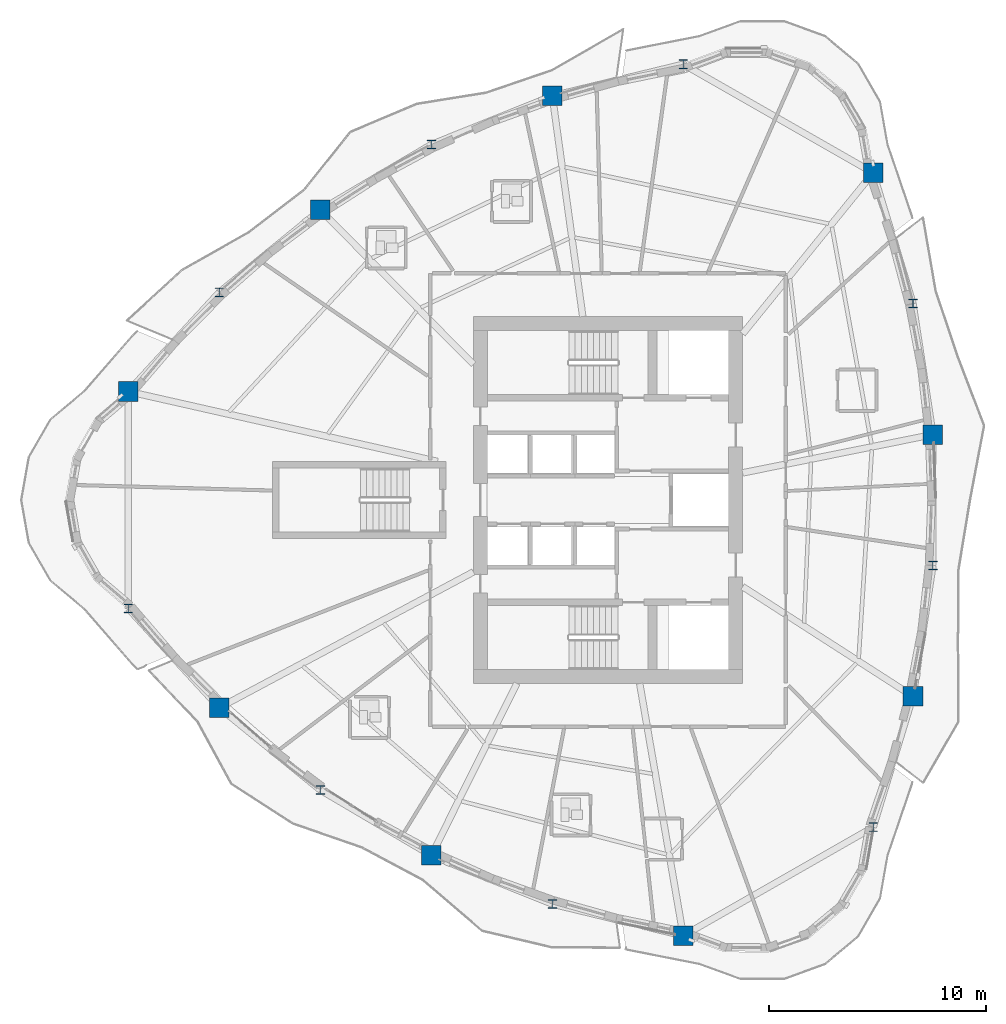
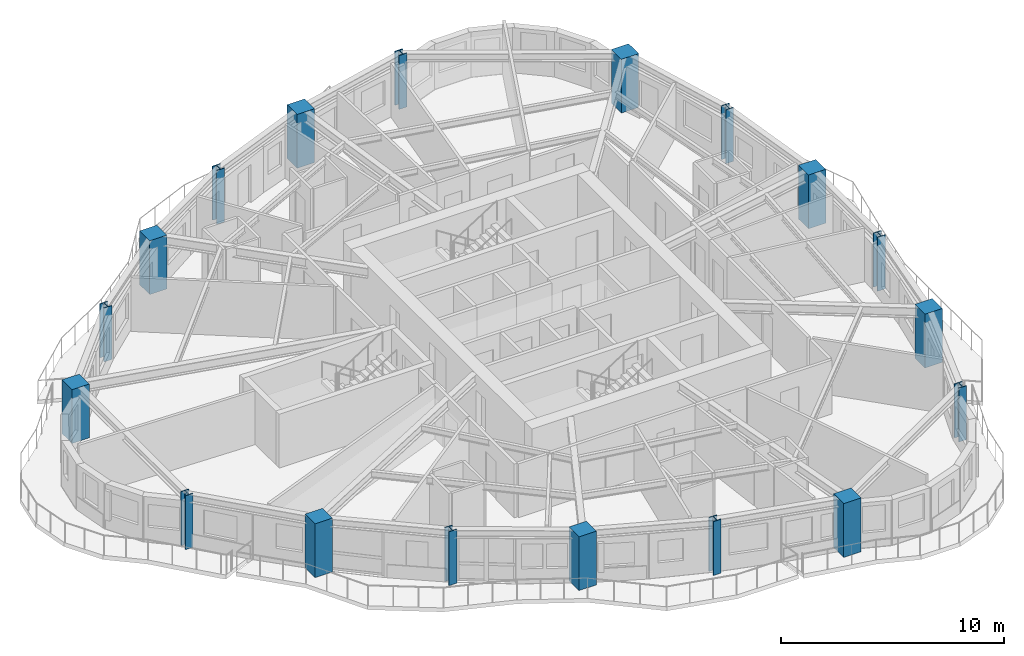
# One storey, part 1 of 15: 18 columns.
"""IFC4 building model written with IfcOpenShell, lengths in metres."""

from ifc_helpers import new_model, si_unit, direction, frame, origin, origin_2d, place, context, subcontext, project, spatial, rectangle, i_section, extrude, source, transform, mapped, material, material_profile, profile_set, type_object, element, save


model = new_model("IFC4")

# Units and contexts
model_context = context("Model", 3, precision=1e-05, world=origin(), true_north=direction((0.0, 1.0)))
body_context = subcontext(model_context, "Body", "Model", "MODEL_VIEW")
ifc_project = project(units=[si_unit("LENGTHUNIT", "METRE"), si_unit("AREAUNIT", "SQUARE_METRE"), si_unit("VOLUMEUNIT", "CUBIC_METRE"), si_unit("PLANEANGLEUNIT", "RADIAN"), si_unit("MASSUNIT", "GRAM", prefix="KILO")], contexts=[model_context])

# Site, building, storey
site_placement = place(None, origin())
site = spatial("IfcSite", under=ifc_project, at=site_placement, CompositionType="ELEMENT")
building_placement = place(site_placement, origin())
building = spatial("IfcBuilding", under=site, at=building_placement, Name="Qafzar Sky-Pleat Residences", CompositionType="ELEMENT")
storey_placement = place(building_placement, frame((0.0, 0.0, 70.39990234375)))
storey = spatial("IfcBuildingStorey", under=building, at=storey_placement, Name="L20", CompositionType="ELEMENT", Elevation=70.39990234375)

# Columns
ifc_material_1 = material(Name="Concrete C60/75", Category="concrete")
ifc_material_profile_1 = material_profile(ifc_material_1, rectangle(XDim=0.89990234375, YDim=0.89990234375, at=origin_2d()), Name="RC 900x900")
ifc_profile_set_1 = profile_set([ifc_material_profile_1], Name="Concrete C60/75")
column_type_1 = type_object("IfcColumnType", Name="COL-RC-900", PredefinedType="COLUMN", material=ifc_profile_set_1)
shared_shape_1 = source(origin(), body_context, "Body", "SweptSolid", [
    extrude(rectangle(XDim=0.89990234375, YDim=0.89990234375, at=origin_2d()), origin(), (0.0, 0.0, 1.0), 2.9501953125),
])
for number, where, z_axis, x_axis, name in (
    (1, (8.255859375, 30.99658203125, 0.0), (0.0, 0.0, 1.0), (1.0, 0.0, 0.0), "L20 Perimeter Mega Column 1"),
    (2, (12.451416015625, 16.436279296875, 0.0), (0.0, 0.0, 1.0), (1.0, 0.0, 0.0), "L20 Perimeter Mega Column 3"),
    (3, (22.217041015625, 9.632568359375, 0.0), (0.0, 0.0, 1.0), (1.0, 0.0, 0.0), "L20 Perimeter Mega Column 5"),
    (4, (33.814697265625, 5.936767578125, 0.0), (0.0, 0.0, 1.0), (1.0, 0.0, 0.0), "L20 Perimeter Mega Column 7"),
    (5, (44.39208984375, 16.9599609375, 0.0), (0.0, 0.0, 1.0), (1.0, 0.0, 0.0), "L20 Perimeter Mega Column 9"),
    (6, (45.30810546875, 29.013427734375, 0.0), (0.0, 0.0, 1.0), (1.0, 0.0, 0.0), "L20 Perimeter Mega Column 11"),
    (7, (42.56005859375, 41.06689453125, 0.0), (0.0, 0.0, 1.0), (1.0, 0.0, 0.0), "L20 Perimeter Mega Column 13"),
    (8, (27.786865234375, 44.60400390625, 0.0), (0.0, 0.0, 1.0), (1.0, 0.0, 0.0), "L20 Perimeter Mega Column 15"),
    (9, (17.105224609375, 39.354248046875, 0.0), (0.0, 0.0, 1.0), (1.0, 0.0, 0.0), "L20 Perimeter Mega Column 17"),
):
    element("IfcColumn", number, at=place(storey_placement, frame(where, z_axis=z_axis, x_axis=x_axis)), inside=storey, type_object=column_type_1, Name=name, PredefinedType="COLUMN", context=body_context, shape_type="MappedRepresentation", body=[
        mapped(shared_shape_1, transform((0.0, 0.0, 0.0), x_axis=(1.0, 0.0, 0.0), y_axis=(0.0, 1.0, 0.0), z_axis=(0.0, 0.0, 1.0), scale=1.0)),
    ])
ifc_material_2 = material(Name="Steel S460", Category="steel")
ifc_material_profile_2 = material_profile(ifc_material_2, i_section(OverallWidth=0.406005859375, OverallDepth=0.416015625, WebThickness=0.027099609375, FlangeThickness=0.0439453125, FilletRadius=0.014892578125, at=origin_2d()), Name="HD 400x382")
ifc_profile_set_2 = profile_set([ifc_material_profile_2], Name="Steel S460")
column_type_2 = type_object("IfcColumnType", Name="COL-STL-HD382", PredefinedType="PILASTER", material=ifc_profile_set_2)
shared_shape_2 = source(origin(), body_context, "Body", "SweptSolid", [
    extrude(i_section(OverallWidth=0.406005859375, OverallDepth=0.416015625, WebThickness=0.027099609375, FlangeThickness=0.0439453125, FilletRadius=0.014892578125, at=origin_2d()), origin(), (0.0, 0.0, 1.0), 2.9501953125),
])
for number, where, z_axis, x_axis, name in (
    (10, (8.255859375, 21.00341796875, 0.0), (0.0, 0.0, 1.0), (1.0, 0.0, 0.0), "L20 Perimeter Mega Column 2"),
    (11, (17.105224609375, 12.645751953125, 0.0), (0.0, 0.0, 1.0), (1.0, 0.0, 0.0), "L20 Perimeter Mega Column 4"),
    (12, (27.786865234375, 7.39599609375, 0.0), (0.0, 0.0, 1.0), (1.0, 0.0, 0.0), "L20 Perimeter Mega Column 6"),
    (13, (42.56005859375, 10.93310546875, 0.0), (0.0, 0.0, 1.0), (1.0, 0.0, 0.0), "L20 Perimeter Mega Column 8"),
    (14, (45.30810546875, 22.986572265625, 0.0), (0.0, 0.0, 1.0), (1.0, 0.0, 0.0), "L20 Perimeter Mega Column 10"),
    (15, (44.39208984375, 35.0400390625, 0.0), (0.0, 0.0, 1.0), (1.0, 0.0, 0.0), "L20 Perimeter Mega Column 12"),
    (16, (33.814697265625, 46.063232421875, 0.0), (0.0, 0.0, 1.0), (1.0, 0.0, 0.0), "L20 Perimeter Mega Column 14"),
    (17, (22.217041015625, 42.367431640625, 0.0), (0.0, 0.0, 1.0), (1.0, 0.0, 0.0), "L20 Perimeter Mega Column 16"),
    (18, (12.451416015625, 35.563720703125, 0.0), (0.0, 0.0, 1.0), (1.0, 0.0, 0.0), "L20 Perimeter Mega Column 18"),
):
    element("IfcColumn", number, at=place(storey_placement, frame(where, z_axis=z_axis, x_axis=x_axis)), inside=storey, type_object=column_type_2, Name=name, PredefinedType="PILASTER", context=body_context, shape_type="MappedRepresentation", body=[
        mapped(shared_shape_2, transform((0.0, 0.0, 0.0), x_axis=(1.0, 0.0, 0.0), y_axis=(0.0, 1.0, 0.0), z_axis=(0.0, 0.0, 1.0), scale=1.0)),
    ])

save(model, "model.ifc")
